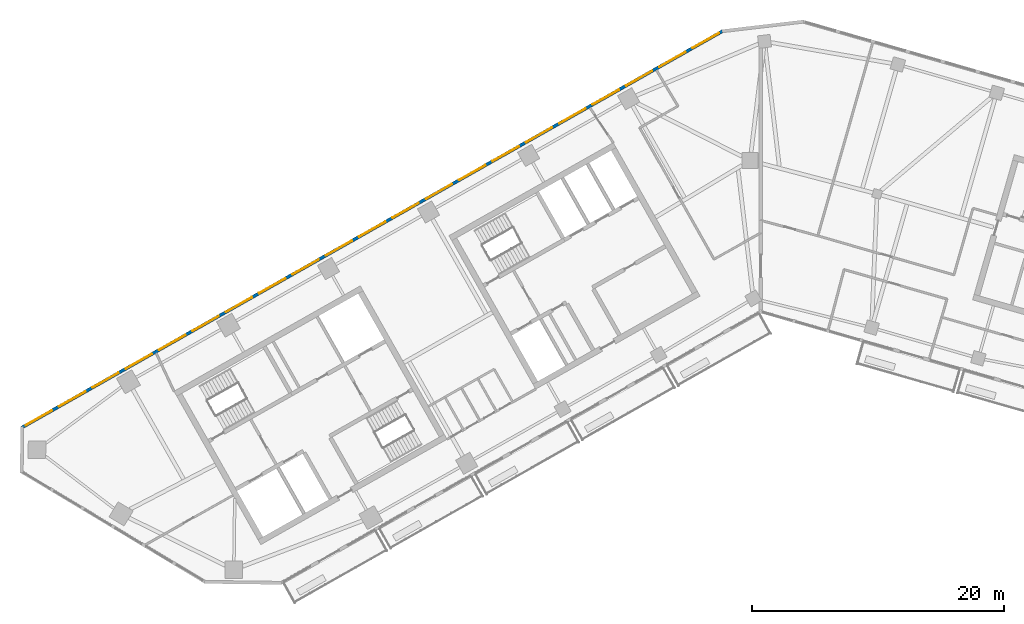
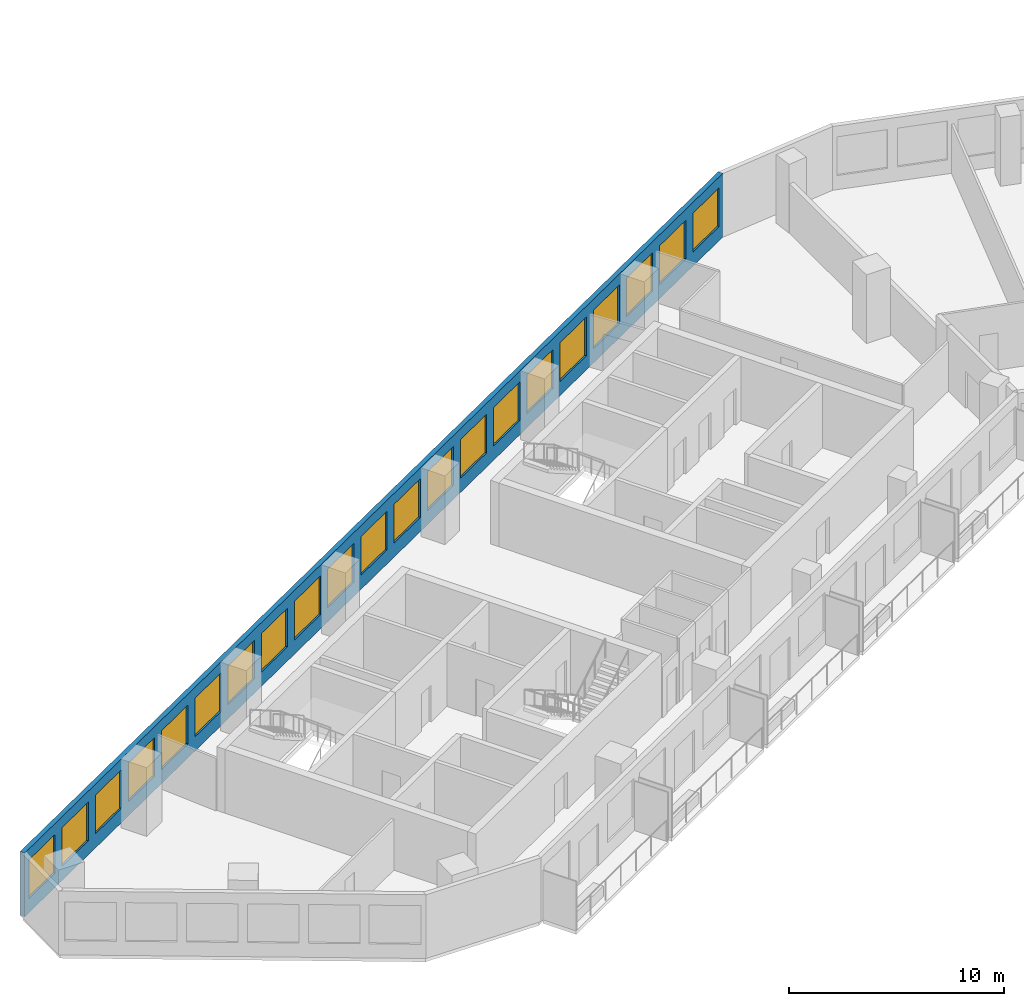
# One storey, part 4 of 12: 21 windows, 1 wall, 21 openings.
"""IFC4 building model written with IfcOpenShell, lengths in metres."""

from ifc_helpers import new_model, si_unit, direction, frame, frame_2d, origin, place, context, subcontext, project, spatial, rectangle, extrude, material, layer, layer_set, type_object, element, fill, save


model = new_model("IFC4")

# Units and contexts
model_context = context("Model", 3, precision=1e-05, world=origin(), true_north=direction((0.0, 1.0)))
body_context = subcontext(model_context, "Body", "Model", "MODEL_VIEW")
ifc_project = project(units=[si_unit("LENGTHUNIT", "METRE"), si_unit("AREAUNIT", "SQUARE_METRE"), si_unit("VOLUMEUNIT", "CUBIC_METRE"), si_unit("PLANEANGLEUNIT", "RADIAN"), si_unit("MASSUNIT", "GRAM", prefix="KILO")], contexts=[model_context])

# Site, building, storey
site_placement = place(None, origin())
site = spatial("IfcSite", under=ifc_project, at=site_placement, CompositionType="ELEMENT")
building_placement = place(site_placement, origin())
building = spatial("IfcBuilding", under=site, at=building_placement, Name="Binnacle Exchange Tower", CompositionType="ELEMENT")
storey_placement = place(building_placement, frame((0.0, 0.0, 250.39990234375)))
storey = spatial("IfcBuildingStorey", under=building, at=storey_placement, Name="L55", CompositionType="ELEMENT", Elevation=250.39990234375)

# Wall, openings, windows
ifc_material_1 = material(Name="Bronze aluminium cladding", Category="aluminium")
ifc_layer = layer(ifc_material_1, 0.25)
ifc_layer_set = layer_set([ifc_layer], Name="External wall - window wall 250")
wall_type = type_object("IfcWallType", Name="External wall - window wall 250", PredefinedType="STANDARD", material=ifc_layer_set)
wall_placement = place(storey_placement, frame((-58.732177734375, 38.770751953125, 0.0), z_axis=(0.0, 0.0, 1.0), x_axis=(0.870354824205, 0.492425100887, 0.0)))
wall = element("IfcWall", 1, at=wall_placement, inside=storey, type_object=wall_type, Name="External wall EW-G08 L55", PredefinedType="STANDARD", context=body_context, shape_type="SweptSolid", body=[
    extrude(rectangle(XDim=64.005859375, YDim=0.25, at=frame_2d((32.0029296875, 0.0))), origin(), (0.0, 0.0, 1.0), 3.6201171875),
])
opening_1_placement = place(wall_placement, frame((61.25927734375, 0.0, 0.800048828125)))
opening_1 = element("IfcOpeningElement", 2, at=opening_1_placement, cuts=wall, Name="Opening WR1", PredefinedType="OPENING", context=body_context, shape_type="SweptSolid", body=[
    extrude(rectangle(XDim=2.39990234375, YDim=2.199951171875, at=frame_2d((1.199951171875, 1.10009765625))), frame((0.0, 0.135009765625, 0.0), z_axis=(0.0, -1.0, 0.0), x_axis=(1.0, 0.0, 0.0)), (0.0, 0.0, 1.0), 0.27001953125),
])
opening_2_placement = place(wall_placement, frame((58.2158203125, 0.0, 0.800048828125)))
opening_2 = element("IfcOpeningElement", 3, at=opening_2_placement, cuts=wall, Name="Opening WR1", PredefinedType="OPENING", context=body_context, shape_type="SweptSolid", body=[
    extrude(rectangle(XDim=2.39990234375, YDim=2.199951171875, at=frame_2d((1.199951171875, 1.10009765625))), frame((0.0, 0.135009765625, 0.0), z_axis=(0.0, -1.0, 0.0), x_axis=(1.0, 0.0, 0.0)), (0.0, 0.0, 1.0), 0.27001953125),
])
opening_3_placement = place(wall_placement, frame((55.172607421875, 0.0, 0.800048828125)))
opening_3 = element("IfcOpeningElement", 4, at=opening_3_placement, cuts=wall, Name="Opening WR1", PredefinedType="OPENING", context=body_context, shape_type="SweptSolid", body=[
    extrude(rectangle(XDim=2.39990234375, YDim=2.199951171875, at=frame_2d((1.199951171875, 1.10009765625))), frame((0.0, 0.135009765625, 0.0), z_axis=(0.0, -1.0, 0.0), x_axis=(1.0, 0.0, 0.0)), (0.0, 0.0, 1.0), 0.27001953125),
])
opening_4_placement = place(wall_placement, frame((52.12939453125, 0.0, 0.800048828125)))
opening_4 = element("IfcOpeningElement", 5, at=opening_4_placement, cuts=wall, Name="Opening WR1", PredefinedType="OPENING", context=body_context, shape_type="SweptSolid", body=[
    extrude(rectangle(XDim=2.39990234375, YDim=2.199951171875, at=frame_2d((1.199951171875, 1.10009765625))), frame((0.0, 0.135009765625, 0.0), z_axis=(0.0, -1.0, 0.0), x_axis=(1.0, 0.0, 0.0)), (0.0, 0.0, 1.0), 0.27001953125),
])
opening_5_placement = place(wall_placement, frame((49.0859375, 0.0, 0.800048828125)))
opening_5 = element("IfcOpeningElement", 6, at=opening_5_placement, cuts=wall, Name="Opening WR1", PredefinedType="OPENING", context=body_context, shape_type="SweptSolid", body=[
    extrude(rectangle(XDim=2.39990234375, YDim=2.199951171875, at=frame_2d((1.199951171875, 1.10009765625))), frame((0.0, 0.135009765625, 0.0), z_axis=(0.0, -1.0, 0.0), x_axis=(1.0, 0.0, 0.0)), (0.0, 0.0, 1.0), 0.27001953125),
])
opening_6_placement = place(wall_placement, frame((46.042724609375, 0.0, 0.800048828125)))
opening_6 = element("IfcOpeningElement", 7, at=opening_6_placement, cuts=wall, Name="Opening WR1", PredefinedType="OPENING", context=body_context, shape_type="SweptSolid", body=[
    extrude(rectangle(XDim=2.39990234375, YDim=2.199951171875, at=frame_2d((1.199951171875, 1.10009765625))), frame((0.0, 0.135009765625, 0.0), z_axis=(0.0, -1.0, 0.0), x_axis=(1.0, 0.0, 0.0)), (0.0, 0.0, 1.0), 0.27001953125),
])
opening_7_placement = place(wall_placement, frame((42.99951171875, 0.0, 0.800048828125)))
opening_7 = element("IfcOpeningElement", 8, at=opening_7_placement, cuts=wall, Name="Opening WR1", PredefinedType="OPENING", context=body_context, shape_type="SweptSolid", body=[
    extrude(rectangle(XDim=2.39990234375, YDim=2.199951171875, at=frame_2d((1.199951171875, 1.10009765625))), frame((0.0, 0.135009765625, 0.0), z_axis=(0.0, -1.0, 0.0), x_axis=(1.0, 0.0, 0.0)), (0.0, 0.0, 1.0), 0.27001953125),
])
opening_8_placement = place(wall_placement, frame((39.956298828125, 0.0, 0.800048828125)))
opening_8 = element("IfcOpeningElement", 9, at=opening_8_placement, cuts=wall, Name="Opening WR1", PredefinedType="OPENING", context=body_context, shape_type="SweptSolid", body=[
    extrude(rectangle(XDim=2.39990234375, YDim=2.199951171875, at=frame_2d((1.199951171875, 1.10009765625))), frame((0.0, 0.135009765625, 0.0), z_axis=(0.0, -1.0, 0.0), x_axis=(1.0, 0.0, 0.0)), (0.0, 0.0, 1.0), 0.27001953125),
])
opening_9_placement = place(wall_placement, frame((36.912841796875, 0.0, 0.800048828125)))
opening_9 = element("IfcOpeningElement", 10, at=opening_9_placement, cuts=wall, Name="Opening WR1", PredefinedType="OPENING", context=body_context, shape_type="SweptSolid", body=[
    extrude(rectangle(XDim=2.39990234375, YDim=2.199951171875, at=frame_2d((1.199951171875, 1.10009765625))), frame((0.0, 0.135009765625, 0.0), z_axis=(0.0, -1.0, 0.0), x_axis=(1.0, 0.0, 0.0)), (0.0, 0.0, 1.0), 0.27001953125),
])
opening_10_placement = place(wall_placement, frame((33.86962890625, 0.0, 0.800048828125)))
opening_10 = element("IfcOpeningElement", 11, at=opening_10_placement, cuts=wall, Name="Opening WR1", PredefinedType="OPENING", context=body_context, shape_type="SweptSolid", body=[
    extrude(rectangle(XDim=2.39990234375, YDim=2.199951171875, at=frame_2d((1.199951171875, 1.10009765625))), frame((0.0, 0.135009765625, 0.0), z_axis=(0.0, -1.0, 0.0), x_axis=(1.0, 0.0, 0.0)), (0.0, 0.0, 1.0), 0.27001953125),
])
opening_11_placement = place(wall_placement, frame((30.826416015625, 0.0, 0.800048828125)))
opening_11 = element("IfcOpeningElement", 12, at=opening_11_placement, cuts=wall, Name="Opening WR1", PredefinedType="OPENING", context=body_context, shape_type="SweptSolid", body=[
    extrude(rectangle(XDim=2.39990234375, YDim=2.199951171875, at=frame_2d((1.199951171875, 1.10009765625))), frame((0.0, 0.135009765625, 0.0), z_axis=(0.0, -1.0, 0.0), x_axis=(1.0, 0.0, 0.0)), (0.0, 0.0, 1.0), 0.27001953125),
])
opening_12_placement = place(wall_placement, frame((27.782958984375, 0.0, 0.800048828125)))
opening_12 = element("IfcOpeningElement", 13, at=opening_12_placement, cuts=wall, Name="Opening WR1", PredefinedType="OPENING", context=body_context, shape_type="SweptSolid", body=[
    extrude(rectangle(XDim=2.39990234375, YDim=2.199951171875, at=frame_2d((1.199951171875, 1.10009765625))), frame((0.0, 0.135009765625, 0.0), z_axis=(0.0, -1.0, 0.0), x_axis=(1.0, 0.0, 0.0)), (0.0, 0.0, 1.0), 0.27001953125),
])
opening_13_placement = place(wall_placement, frame((24.73974609375, 0.0, 0.800048828125)))
opening_13 = element("IfcOpeningElement", 14, at=opening_13_placement, cuts=wall, Name="Opening WR1", PredefinedType="OPENING", context=body_context, shape_type="SweptSolid", body=[
    extrude(rectangle(XDim=2.39990234375, YDim=2.199951171875, at=frame_2d((1.199951171875, 1.10009765625))), frame((0.0, 0.135009765625, 0.0), z_axis=(0.0, -1.0, 0.0), x_axis=(1.0, 0.0, 0.0)), (0.0, 0.0, 1.0), 0.27001953125),
])
opening_14_placement = place(wall_placement, frame((21.6962890625, 0.0, 0.800048828125)))
opening_14 = element("IfcOpeningElement", 15, at=opening_14_placement, cuts=wall, Name="Opening WR1", PredefinedType="OPENING", context=body_context, shape_type="SweptSolid", body=[
    extrude(rectangle(XDim=2.39990234375, YDim=2.199951171875, at=frame_2d((1.199951171875, 1.10009765625))), frame((0.0, 0.135009765625, 0.0), z_axis=(0.0, -1.0, 0.0), x_axis=(1.0, 0.0, 0.0)), (0.0, 0.0, 1.0), 0.27001953125),
])
opening_15_placement = place(wall_placement, frame((18.6533203125, 0.0, 0.800048828125)))
opening_15 = element("IfcOpeningElement", 16, at=opening_15_placement, cuts=wall, Name="Opening WR1", PredefinedType="OPENING", context=body_context, shape_type="SweptSolid", body=[
    extrude(rectangle(XDim=2.39990234375, YDim=2.199951171875, at=frame_2d((1.199951171875, 1.10009765625))), frame((0.0, 0.135009765625, 0.0), z_axis=(0.0, -1.0, 0.0), x_axis=(1.0, 0.0, 0.0)), (0.0, 0.0, 1.0), 0.27001953125),
])
opening_16_placement = place(wall_placement, frame((15.60986328125, 0.0, 0.800048828125)))
opening_16 = element("IfcOpeningElement", 17, at=opening_16_placement, cuts=wall, Name="Opening WR1", PredefinedType="OPENING", context=body_context, shape_type="SweptSolid", body=[
    extrude(rectangle(XDim=2.39990234375, YDim=2.199951171875, at=frame_2d((1.199951171875, 1.10009765625))), frame((0.0, 0.135009765625, 0.0), z_axis=(0.0, -1.0, 0.0), x_axis=(1.0, 0.0, 0.0)), (0.0, 0.0, 1.0), 0.27001953125),
])
opening_17_placement = place(wall_placement, frame((12.566650390625, 0.0, 0.800048828125)))
opening_17 = element("IfcOpeningElement", 18, at=opening_17_placement, cuts=wall, Name="Opening WR1", PredefinedType="OPENING", context=body_context, shape_type="SweptSolid", body=[
    extrude(rectangle(XDim=2.39990234375, YDim=2.199951171875, at=frame_2d((1.199951171875, 1.10009765625))), frame((0.0, 0.135009765625, 0.0), z_axis=(0.0, -1.0, 0.0), x_axis=(1.0, 0.0, 0.0)), (0.0, 0.0, 1.0), 0.27001953125),
])
opening_18_placement = place(wall_placement, frame((9.523193359375, 0.0, 0.800048828125)))
opening_18 = element("IfcOpeningElement", 19, at=opening_18_placement, cuts=wall, Name="Opening WR1", PredefinedType="OPENING", context=body_context, shape_type="SweptSolid", body=[
    extrude(rectangle(XDim=2.39990234375, YDim=2.199951171875, at=frame_2d((1.199951171875, 1.10009765625))), frame((0.0, 0.135009765625, 0.0), z_axis=(0.0, -1.0, 0.0), x_axis=(1.0, 0.0, 0.0)), (0.0, 0.0, 1.0), 0.27001953125),
])
opening_19_placement = place(wall_placement, frame((6.47998046875, 0.0, 0.800048828125)))
opening_19 = element("IfcOpeningElement", 20, at=opening_19_placement, cuts=wall, Name="Opening WR1", PredefinedType="OPENING", context=body_context, shape_type="SweptSolid", body=[
    extrude(rectangle(XDim=2.39990234375, YDim=2.199951171875, at=frame_2d((1.199951171875, 1.10009765625))), frame((0.0, 0.135009765625, 0.0), z_axis=(0.0, -1.0, 0.0), x_axis=(1.0, 0.0, 0.0)), (0.0, 0.0, 1.0), 0.27001953125),
])
opening_20_placement = place(wall_placement, frame((3.436767578125, 0.0, 0.800048828125)))
opening_20 = element("IfcOpeningElement", 21, at=opening_20_placement, cuts=wall, Name="Opening WR1", PredefinedType="OPENING", context=body_context, shape_type="SweptSolid", body=[
    extrude(rectangle(XDim=2.39990234375, YDim=2.199951171875, at=frame_2d((1.199951171875, 1.10009765625))), frame((0.0, 0.135009765625, 0.0), z_axis=(0.0, -1.0, 0.0), x_axis=(1.0, 0.0, 0.0)), (0.0, 0.0, 1.0), 0.27001953125),
])
opening_21_placement = place(wall_placement, frame((0.393310546875, 0.0, 0.800048828125)))
opening_21 = element("IfcOpeningElement", 22, at=opening_21_placement, cuts=wall, Name="Opening WR1", PredefinedType="OPENING", context=body_context, shape_type="SweptSolid", body=[
    extrude(rectangle(XDim=2.39990234375, YDim=2.199951171875, at=frame_2d((1.199951171875, 1.10009765625))), frame((0.0, 0.135009765625, 0.0), z_axis=(0.0, -1.0, 0.0), x_axis=(1.0, 0.0, 0.0)), (0.0, 0.0, 1.0), 0.27001953125),
])
ifc_material_2 = material(Name="Bronze anodised aluminium frame", Category="aluminium")
window_type = type_object("IfcWindowType", Name="WR1 WINDOW 2400x2200", PartitioningType="SINGLE_PANEL", PredefinedType="WINDOW", material=ifc_material_2)
window_1_placement = place(opening_1_placement, origin())
window_1 = element("IfcWindow", 23, at=window_1_placement, inside=storey, type_object=window_type, Name="Window WR1 L55", OverallHeight=2.199951171875, OverallWidth=2.39990234375, PartitioningType="SINGLE_PANEL", PredefinedType="WINDOW", context=body_context, shape_type="SweptSolid", body=[
    extrude(rectangle(XDim=2.39990234375, YDim=2.199951171875, at=frame_2d((1.199951171875, 1.10009765625))), frame((0.0, 0.030029296875, 0.0), z_axis=(0.0, -1.0, 0.0), x_axis=(1.0, 0.0, 0.0)), (0.0, 0.0, 1.0), 0.06005859375),
])
fill(opening_1, window_1)
window_2_placement = place(opening_2_placement, origin())
window_2 = element("IfcWindow", 24, at=window_2_placement, inside=storey, type_object=window_type, Name="Window WR1 L55", OverallHeight=2.199951171875, OverallWidth=2.39990234375, PartitioningType="SINGLE_PANEL", PredefinedType="WINDOW", context=body_context, shape_type="SweptSolid", body=[
    extrude(rectangle(XDim=2.39990234375, YDim=2.199951171875, at=frame_2d((1.199951171875, 1.10009765625))), frame((0.0, 0.030029296875, 0.0), z_axis=(0.0, -1.0, 0.0), x_axis=(1.0, 0.0, 0.0)), (0.0, 0.0, 1.0), 0.06005859375),
])
fill(opening_2, window_2)
window_3_placement = place(opening_3_placement, origin())
window_3 = element("IfcWindow", 25, at=window_3_placement, inside=storey, type_object=window_type, Name="Window WR1 L55", OverallHeight=2.199951171875, OverallWidth=2.39990234375, PartitioningType="SINGLE_PANEL", PredefinedType="WINDOW", context=body_context, shape_type="SweptSolid", body=[
    extrude(rectangle(XDim=2.39990234375, YDim=2.199951171875, at=frame_2d((1.199951171875, 1.10009765625))), frame((0.0, 0.030029296875, 0.0), z_axis=(0.0, -1.0, 0.0), x_axis=(1.0, 0.0, 0.0)), (0.0, 0.0, 1.0), 0.06005859375),
])
fill(opening_3, window_3)
window_4_placement = place(opening_4_placement, origin())
window_4 = element("IfcWindow", 26, at=window_4_placement, inside=storey, type_object=window_type, Name="Window WR1 L55", OverallHeight=2.199951171875, OverallWidth=2.39990234375, PartitioningType="SINGLE_PANEL", PredefinedType="WINDOW", context=body_context, shape_type="SweptSolid", body=[
    extrude(rectangle(XDim=2.39990234375, YDim=2.199951171875, at=frame_2d((1.199951171875, 1.10009765625))), frame((0.0, 0.030029296875, 0.0), z_axis=(0.0, -1.0, 0.0), x_axis=(1.0, 0.0, 0.0)), (0.0, 0.0, 1.0), 0.06005859375),
])
fill(opening_4, window_4)
window_5_placement = place(opening_5_placement, origin())
window_5 = element("IfcWindow", 27, at=window_5_placement, inside=storey, type_object=window_type, Name="Window WR1 L55", OverallHeight=2.199951171875, OverallWidth=2.39990234375, PartitioningType="SINGLE_PANEL", PredefinedType="WINDOW", context=body_context, shape_type="SweptSolid", body=[
    extrude(rectangle(XDim=2.39990234375, YDim=2.199951171875, at=frame_2d((1.199951171875, 1.10009765625))), frame((0.0, 0.030029296875, 0.0), z_axis=(0.0, -1.0, 0.0), x_axis=(1.0, 0.0, 0.0)), (0.0, 0.0, 1.0), 0.06005859375),
])
fill(opening_5, window_5)
window_6_placement = place(opening_6_placement, origin())
window_6 = element("IfcWindow", 28, at=window_6_placement, inside=storey, type_object=window_type, Name="Window WR1 L55", OverallHeight=2.199951171875, OverallWidth=2.39990234375, PartitioningType="SINGLE_PANEL", PredefinedType="WINDOW", context=body_context, shape_type="SweptSolid", body=[
    extrude(rectangle(XDim=2.39990234375, YDim=2.199951171875, at=frame_2d((1.199951171875, 1.10009765625))), frame((0.0, 0.030029296875, 0.0), z_axis=(0.0, -1.0, 0.0), x_axis=(1.0, 0.0, 0.0)), (0.0, 0.0, 1.0), 0.06005859375),
])
fill(opening_6, window_6)
window_7_placement = place(opening_7_placement, origin())
window_7 = element("IfcWindow", 29, at=window_7_placement, inside=storey, type_object=window_type, Name="Window WR1 L55", OverallHeight=2.199951171875, OverallWidth=2.39990234375, PartitioningType="SINGLE_PANEL", PredefinedType="WINDOW", context=body_context, shape_type="SweptSolid", body=[
    extrude(rectangle(XDim=2.39990234375, YDim=2.199951171875, at=frame_2d((1.199951171875, 1.10009765625))), frame((0.0, 0.030029296875, 0.0), z_axis=(0.0, -1.0, 0.0), x_axis=(1.0, 0.0, 0.0)), (0.0, 0.0, 1.0), 0.06005859375),
])
fill(opening_7, window_7)
window_8_placement = place(opening_8_placement, origin())
window_8 = element("IfcWindow", 30, at=window_8_placement, inside=storey, type_object=window_type, Name="Window WR1 L55", OverallHeight=2.199951171875, OverallWidth=2.39990234375, PartitioningType="SINGLE_PANEL", PredefinedType="WINDOW", context=body_context, shape_type="SweptSolid", body=[
    extrude(rectangle(XDim=2.39990234375, YDim=2.199951171875, at=frame_2d((1.199951171875, 1.10009765625))), frame((0.0, 0.030029296875, 0.0), z_axis=(0.0, -1.0, 0.0), x_axis=(1.0, 0.0, 0.0)), (0.0, 0.0, 1.0), 0.06005859375),
])
fill(opening_8, window_8)
window_9_placement = place(opening_9_placement, origin())
window_9 = element("IfcWindow", 31, at=window_9_placement, inside=storey, type_object=window_type, Name="Window WR1 L55", OverallHeight=2.199951171875, OverallWidth=2.39990234375, PartitioningType="SINGLE_PANEL", PredefinedType="WINDOW", context=body_context, shape_type="SweptSolid", body=[
    extrude(rectangle(XDim=2.39990234375, YDim=2.199951171875, at=frame_2d((1.199951171875, 1.10009765625))), frame((0.0, 0.030029296875, 0.0), z_axis=(0.0, -1.0, 0.0), x_axis=(1.0, 0.0, 0.0)), (0.0, 0.0, 1.0), 0.06005859375),
])
fill(opening_9, window_9)
window_10_placement = place(opening_10_placement, origin())
window_10 = element("IfcWindow", 32, at=window_10_placement, inside=storey, type_object=window_type, Name="Window WR1 L55", OverallHeight=2.199951171875, OverallWidth=2.39990234375, PartitioningType="SINGLE_PANEL", PredefinedType="WINDOW", context=body_context, shape_type="SweptSolid", body=[
    extrude(rectangle(XDim=2.39990234375, YDim=2.199951171875, at=frame_2d((1.199951171875, 1.10009765625))), frame((0.0, 0.030029296875, 0.0), z_axis=(0.0, -1.0, 0.0), x_axis=(1.0, 0.0, 0.0)), (0.0, 0.0, 1.0), 0.06005859375),
])
fill(opening_10, window_10)
window_11_placement = place(opening_11_placement, origin())
window_11 = element("IfcWindow", 33, at=window_11_placement, inside=storey, type_object=window_type, Name="Window WR1 L55", OverallHeight=2.199951171875, OverallWidth=2.39990234375, PartitioningType="SINGLE_PANEL", PredefinedType="WINDOW", context=body_context, shape_type="SweptSolid", body=[
    extrude(rectangle(XDim=2.39990234375, YDim=2.199951171875, at=frame_2d((1.199951171875, 1.10009765625))), frame((0.0, 0.030029296875, 0.0), z_axis=(0.0, -1.0, 0.0), x_axis=(1.0, 0.0, 0.0)), (0.0, 0.0, 1.0), 0.06005859375),
])
fill(opening_11, window_11)
window_12_placement = place(opening_12_placement, origin())
window_12 = element("IfcWindow", 34, at=window_12_placement, inside=storey, type_object=window_type, Name="Window WR1 L55", OverallHeight=2.199951171875, OverallWidth=2.39990234375, PartitioningType="SINGLE_PANEL", PredefinedType="WINDOW", context=body_context, shape_type="SweptSolid", body=[
    extrude(rectangle(XDim=2.39990234375, YDim=2.199951171875, at=frame_2d((1.199951171875, 1.10009765625))), frame((0.0, 0.030029296875, 0.0), z_axis=(0.0, -1.0, 0.0), x_axis=(1.0, 0.0, 0.0)), (0.0, 0.0, 1.0), 0.06005859375),
])
fill(opening_12, window_12)
window_13_placement = place(opening_13_placement, origin())
window_13 = element("IfcWindow", 35, at=window_13_placement, inside=storey, type_object=window_type, Name="Window WR1 L55", OverallHeight=2.199951171875, OverallWidth=2.39990234375, PartitioningType="SINGLE_PANEL", PredefinedType="WINDOW", context=body_context, shape_type="SweptSolid", body=[
    extrude(rectangle(XDim=2.39990234375, YDim=2.199951171875, at=frame_2d((1.199951171875, 1.10009765625))), frame((0.0, 0.030029296875, 0.0), z_axis=(0.0, -1.0, 0.0), x_axis=(1.0, 0.0, 0.0)), (0.0, 0.0, 1.0), 0.06005859375),
])
fill(opening_13, window_13)
window_14_placement = place(opening_14_placement, origin())
window_14 = element("IfcWindow", 36, at=window_14_placement, inside=storey, type_object=window_type, Name="Window WR1 L55", OverallHeight=2.199951171875, OverallWidth=2.39990234375, PartitioningType="SINGLE_PANEL", PredefinedType="WINDOW", context=body_context, shape_type="SweptSolid", body=[
    extrude(rectangle(XDim=2.39990234375, YDim=2.199951171875, at=frame_2d((1.199951171875, 1.10009765625))), frame((0.0, 0.030029296875, 0.0), z_axis=(0.0, -1.0, 0.0), x_axis=(1.0, 0.0, 0.0)), (0.0, 0.0, 1.0), 0.06005859375),
])
fill(opening_14, window_14)
window_15_placement = place(opening_15_placement, origin())
window_15 = element("IfcWindow", 37, at=window_15_placement, inside=storey, type_object=window_type, Name="Window WR1 L55", OverallHeight=2.199951171875, OverallWidth=2.39990234375, PartitioningType="SINGLE_PANEL", PredefinedType="WINDOW", context=body_context, shape_type="SweptSolid", body=[
    extrude(rectangle(XDim=2.39990234375, YDim=2.199951171875, at=frame_2d((1.199951171875, 1.10009765625))), frame((0.0, 0.030029296875, 0.0), z_axis=(0.0, -1.0, 0.0), x_axis=(1.0, 0.0, 0.0)), (0.0, 0.0, 1.0), 0.06005859375),
])
fill(opening_15, window_15)
window_16_placement = place(opening_16_placement, origin())
window_16 = element("IfcWindow", 38, at=window_16_placement, inside=storey, type_object=window_type, Name="Window WR1 L55", OverallHeight=2.199951171875, OverallWidth=2.39990234375, PartitioningType="SINGLE_PANEL", PredefinedType="WINDOW", context=body_context, shape_type="SweptSolid", body=[
    extrude(rectangle(XDim=2.39990234375, YDim=2.199951171875, at=frame_2d((1.199951171875, 1.10009765625))), frame((0.0, 0.030029296875, 0.0), z_axis=(0.0, -1.0, 0.0), x_axis=(1.0, 0.0, 0.0)), (0.0, 0.0, 1.0), 0.06005859375),
])
fill(opening_16, window_16)
window_17_placement = place(opening_17_placement, origin())
window_17 = element("IfcWindow", 39, at=window_17_placement, inside=storey, type_object=window_type, Name="Window WR1 L55", OverallHeight=2.199951171875, OverallWidth=2.39990234375, PartitioningType="SINGLE_PANEL", PredefinedType="WINDOW", context=body_context, shape_type="SweptSolid", body=[
    extrude(rectangle(XDim=2.39990234375, YDim=2.199951171875, at=frame_2d((1.199951171875, 1.10009765625))), frame((0.0, 0.030029296875, 0.0), z_axis=(0.0, -1.0, 0.0), x_axis=(1.0, 0.0, 0.0)), (0.0, 0.0, 1.0), 0.06005859375),
])
fill(opening_17, window_17)
window_18_placement = place(opening_18_placement, origin())
window_18 = element("IfcWindow", 40, at=window_18_placement, inside=storey, type_object=window_type, Name="Window WR1 L55", OverallHeight=2.199951171875, OverallWidth=2.39990234375, PartitioningType="SINGLE_PANEL", PredefinedType="WINDOW", context=body_context, shape_type="SweptSolid", body=[
    extrude(rectangle(XDim=2.39990234375, YDim=2.199951171875, at=frame_2d((1.199951171875, 1.10009765625))), frame((0.0, 0.030029296875, 0.0), z_axis=(0.0, -1.0, 0.0), x_axis=(1.0, 0.0, 0.0)), (0.0, 0.0, 1.0), 0.06005859375),
])
fill(opening_18, window_18)
window_19_placement = place(opening_19_placement, origin())
window_19 = element("IfcWindow", 41, at=window_19_placement, inside=storey, type_object=window_type, Name="Window WR1 L55", OverallHeight=2.199951171875, OverallWidth=2.39990234375, PartitioningType="SINGLE_PANEL", PredefinedType="WINDOW", context=body_context, shape_type="SweptSolid", body=[
    extrude(rectangle(XDim=2.39990234375, YDim=2.199951171875, at=frame_2d((1.199951171875, 1.10009765625))), frame((0.0, 0.030029296875, 0.0), z_axis=(0.0, -1.0, 0.0), x_axis=(1.0, 0.0, 0.0)), (0.0, 0.0, 1.0), 0.06005859375),
])
fill(opening_19, window_19)
window_20_placement = place(opening_20_placement, origin())
window_20 = element("IfcWindow", 42, at=window_20_placement, inside=storey, type_object=window_type, Name="Window WR1 L55", OverallHeight=2.199951171875, OverallWidth=2.39990234375, PartitioningType="SINGLE_PANEL", PredefinedType="WINDOW", context=body_context, shape_type="SweptSolid", body=[
    extrude(rectangle(XDim=2.39990234375, YDim=2.199951171875, at=frame_2d((1.199951171875, 1.10009765625))), frame((0.0, 0.030029296875, 0.0), z_axis=(0.0, -1.0, 0.0), x_axis=(1.0, 0.0, 0.0)), (0.0, 0.0, 1.0), 0.06005859375),
])
fill(opening_20, window_20)
window_21_placement = place(opening_21_placement, origin())
window_21 = element("IfcWindow", 43, at=window_21_placement, inside=storey, type_object=window_type, Name="Window WR1 L55", OverallHeight=2.199951171875, OverallWidth=2.39990234375, PartitioningType="SINGLE_PANEL", PredefinedType="WINDOW", context=body_context, shape_type="SweptSolid", body=[
    extrude(rectangle(XDim=2.39990234375, YDim=2.199951171875, at=frame_2d((1.199951171875, 1.10009765625))), frame((0.0, 0.030029296875, 0.0), z_axis=(0.0, -1.0, 0.0), x_axis=(1.0, 0.0, 0.0)), (0.0, 0.0, 1.0), 0.06005859375),
])
fill(opening_21, window_21)

save(model, "model.ifc")
